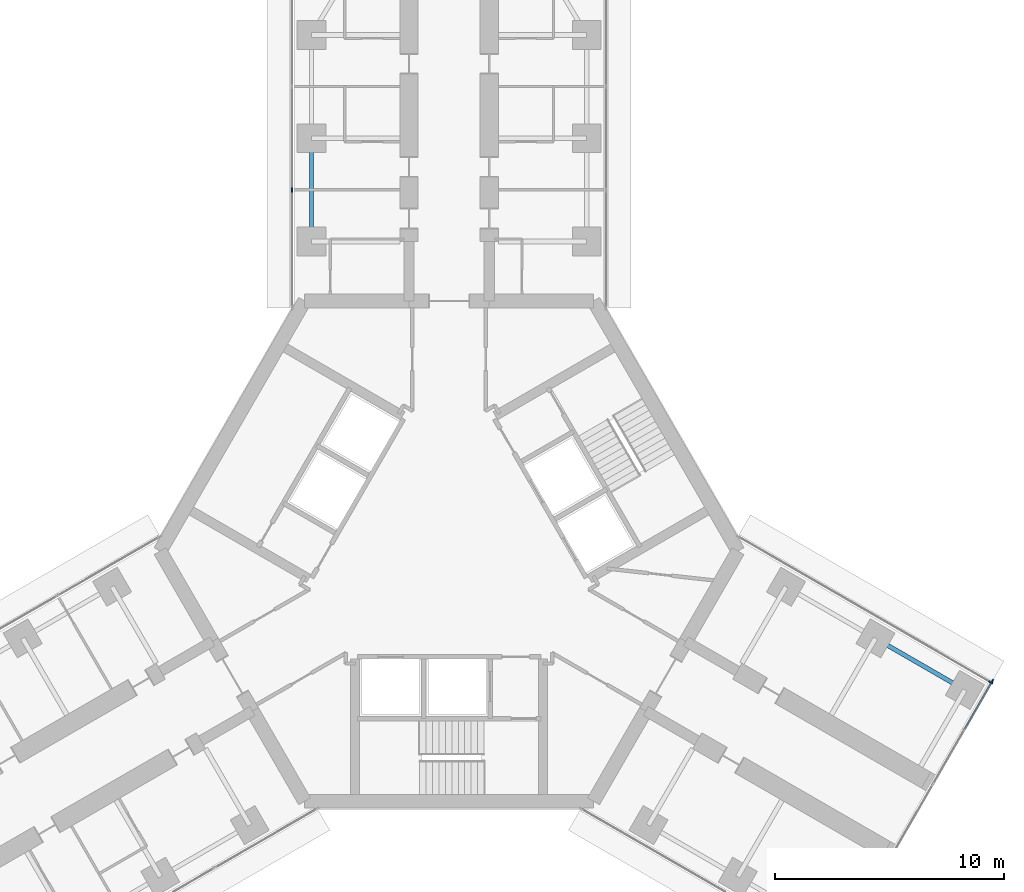
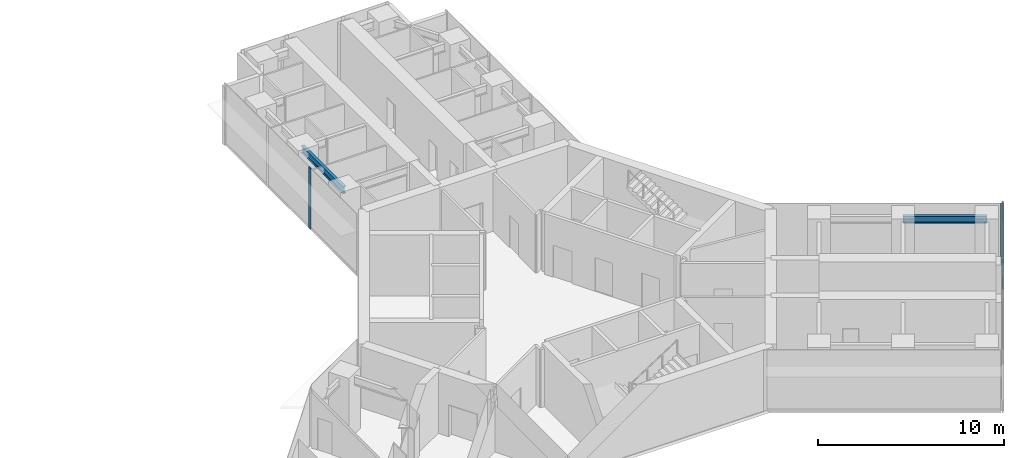
# One storey, part 11 of 23: 4 members, 2 beams, 3 elements without a shape of their own.
"""IFC4 building model written with IfcOpenShell, lengths in metres."""

import ifcopenshell
import ifcopenshell.guid

model = None  # the IFC model being written
_history = None  # IfcOwnerHistory: only IFC2X3 demands one
_inside = {}  # id of a spatial element -> (the spatial element, [elements in it])
_under = {}  # id of a project, library or spatial element -> (it, [spatial elements below it])
_declared = {}  # id of a project -> (the project, [libraries it declares])
_typed = {}  # id of a type object -> (the type object, [elements of that type])
_made_of = {}  # id of a material, layer set ... -> (it, [elements and type objects made of it])


def new_model(schema):
    """Start an empty IFC model of exactly this schema.

    Asked for "IFC4X3", IfcOpenShell would pick the latest addendum, in which some entities
    have other attributes; the version numbers below select the first issue.
    IFC2X3 requires an IfcOwnerHistory on every rooted entity: one is made here for all.
    """
    global model, _history
    if schema == "IFC4X3":
        model = ifcopenshell.file(schema_version=(4, 3, 0, 0))
    else:
        model = ifcopenshell.file(schema=schema)
    _inside.clear()
    _under.clear()
    _declared.clear()
    _typed.clear()
    _made_of.clear()
    _history = None
    if model.schema == "IFC2X3":
        org = make("IfcOrganization", Name="unknown")
        user = make(
            "IfcPersonAndOrganization",
            ThePerson=make("IfcPerson", FamilyName="unknown"),
            TheOrganization=org,
        )
        app = make(
            "IfcApplication",
            ApplicationDeveloper=org,
            Version="unknown",
            ApplicationFullName="unknown",
            ApplicationIdentifier="unknown",
        )
        _history = make(
            "IfcOwnerHistory",
            OwningUser=user,
            OwningApplication=app,
            ChangeAction="ADDED",
            CreationDate=0,
        )
    return model


def make(cls, **values):
    """One entity of the class cls with the attributes given. An attribute that is None is left unset."""
    return model.create_entity(
        cls, **{name: value for name, value in values.items() if value is not None}
    )


def rooted(cls, **values):
    """An entity with a GlobalId (a new one), such as an element, a storey or a relation."""
    return make(cls, GlobalId=ifcopenshell.guid.new(), OwnerHistory=_history, **values)


def si_unit(unit_type, name, prefix=None):
    """IfcSIUnit, for example si_unit("LENGTHUNIT", "METRE", prefix="MILLI")."""
    return make("IfcSIUnit", UnitType=unit_type, Prefix=prefix, Name=name)


def assignment(units):
    """IfcUnitAssignment: the units of a project."""
    return None if units is None else make("IfcUnitAssignment", Units=units)


def point(xyz):
    """IfcCartesianPoint."""
    return None if xyz is None else make("IfcCartesianPoint", Coordinates=xyz)


def direction(xyz):
    """IfcDirection."""
    return None if xyz is None else make("IfcDirection", DirectionRatios=xyz)


def frame(location, z_axis=None, x_axis=None):
    """IfcAxis2Placement3D, a coordinate frame: its origin and axes. An axis left out is left unset."""
    return make(
        "IfcAxis2Placement3D",
        Location=point(location),
        Axis=direction(z_axis),
        RefDirection=direction(x_axis),
    )


def frame_2d(location, x_axis=None):
    """IfcAxis2Placement2D, a coordinate frame in the plane: its origin and x axis."""
    return make(
        "IfcAxis2Placement2D", Location=point(location), RefDirection=direction(x_axis)
    )


def origin():
    """The frame at (0, 0, 0) with its axes left unset."""
    return frame((0.0, 0.0, 0.0))


def origin_2d():
    """The frame at (0, 0) in the plane with its x axis left unset."""
    return frame_2d((0.0, 0.0))


def place(relative_to, where):
    """IfcLocalPlacement: puts the frame where relative to a parent placement (None: the world)."""
    return make(
        "IfcLocalPlacement", PlacementRelTo=relative_to, RelativePlacement=where
    )


def context(
    kind, dimensions, precision=None, world=None, true_north=None, identifier=None
):
    """IfcGeometricRepresentationContext, for example the 3D "Model" context."""
    return make(
        "IfcGeometricRepresentationContext",
        ContextIdentifier=identifier,
        ContextType=kind,
        CoordinateSpaceDimension=dimensions,
        Precision=precision,
        WorldCoordinateSystem=world,
        TrueNorth=true_north,
    )


def subcontext(parent, identifier, kind, view, scale=None):
    """IfcGeometricRepresentationSubContext, for example "Body" below "Model"."""
    return make(
        "IfcGeometricRepresentationSubContext",
        ContextIdentifier=identifier,
        ContextType=kind,
        ParentContext=parent,
        TargetScale=scale,
        TargetView=view,
    )


def project(units=None, contexts=None):
    """IfcProject with its units and contexts."""
    return rooted(
        "IfcProject",
        Name="project",
        RepresentationContexts=contexts,
        UnitsInContext=assignment(units),
    )


def spatial(cls, under=None, at=None, **own):
    """A site, building, storey or space (cls), placed at a placement, below another one or the project."""
    s = rooted(cls, ObjectPlacement=at, **own)
    if under is not None:
        _under.setdefault(under.id(), (under, []))[1].append(s)
    return s


def profile(cls, at=None, kind="AREA", **sizes):
    """A parametric profile (cls). Its sizes go by their IFC names, for example OverallWidth=200.0."""
    return make(cls, ProfileType=kind, Position=at, **sizes)


def rectangle(**sizes):
    """IfcRectangleProfileDef."""
    return profile("IfcRectangleProfileDef", **sizes)


def i_section(**sizes):
    """IfcIShapeProfileDef."""
    return profile("IfcIShapeProfileDef", **sizes)


def extrude(swept, where, along, depth):
    """IfcExtrudedAreaSolid: the profile swept, set in the frame where, extruded along a direction by depth."""
    return make(
        "IfcExtrudedAreaSolid",
        SweptArea=swept,
        Position=where,
        ExtrudedDirection=direction(along),
        Depth=depth,
    )


def shape(context_of_items, identifier, shape_type, items):
    """IfcShapeRepresentation: the items that make up one representation, for example the "Body"."""
    return make(
        "IfcShapeRepresentation",
        ContextOfItems=context_of_items,
        RepresentationIdentifier=identifier,
        RepresentationType=shape_type,
        Items=items,
    )


def material(Name=None, Category=None):
    """IfcMaterial."""
    return make("IfcMaterial", Name=Name, Category=Category)


def material_profile(
    of_material, cross_section, Name=None, Category=None, Priority=None
):
    """IfcMaterialProfile: a cross section and its material."""
    return make(
        "IfcMaterialProfile",
        Name=Name,
        Material=of_material,
        Profile=cross_section,
        Priority=Priority,
        Category=Category,
    )


def profile_set(profiles, Name=None, composite=None):
    """IfcMaterialProfileSet."""
    return make(
        "IfcMaterialProfileSet",
        Name=Name,
        MaterialProfiles=profiles,
        CompositeProfile=composite,
    )


def made_of(thing, what):
    """Note that an element or type object is made of a material, layer set ...; save() writes the relation."""
    if what is not None:
        _made_of.setdefault(what.id(), (what, []))[1].append(thing)
    return thing


def type_object(cls, material=None, **own):
    """A type object (cls), such as IfcWallType, which elements share."""
    return made_of(rooted(cls, **own), material)


def element(
    cls,
    number,
    at=None,
    inside=None,
    cuts=None,
    type_object=None,
    material=None,
    context=None,
    identifier="Body",
    shape_type=None,
    held_by="IfcProductDefinitionShape",
    body=None,
    shapes=None,
    **own,
):
    """One element of the class cls, such as IfcWall. Its Tag is "e" and its number.

    at: its placement. inside: the storey or other place that contains it. cuts: it is an
    opening in that element (IfcRelVoidsElement). A single representation is given by context,
    identifier, shape_type and body (its items); several are given by shapes. held_by: the class
    of the entity that holds the representations. save() writes the other relations.
    """
    e = rooted(cls, Tag="e%d" % number, ObjectPlacement=at, **own)
    if body is not None:
        shapes = [shape(context, identifier, shape_type, body)]
    if shapes is not None:
        e.Representation = make(held_by, Representations=shapes)
    if inside is not None:
        _inside.setdefault(inside.id(), (inside, []))[1].append(e)
    if cuts is not None:
        rooted(
            "IfcRelVoidsElement", RelatingBuildingElement=cuts, RelatedOpeningElement=e
        )
    if type_object is not None:
        _typed.setdefault(type_object.id(), (type_object, []))[1].append(e)
    return made_of(e, material)


def aggregate(whole, parts):
    """IfcRelAggregates: a whole, such as a stair, and the parts it consists of."""
    return rooted("IfcRelAggregates", RelatingObject=whole, RelatedObjects=parts)


def save(model, path):
    """Write the relations noted so far, then the file.

    IfcRelAggregates (storeys below a building ...), IfcRelContainedInSpatialStructure (elements
    in a storey), IfcRelDefinesByType, IfcRelAssociatesMaterial and IfcRelDeclares: one each for
    every whole, place, type object, material and project.
    """
    for whole, parts in _under.values():
        aggregate(whole, parts)
    for where, things in _inside.values():
        rooted(
            "IfcRelContainedInSpatialStructure",
            RelatedElements=things,
            RelatingStructure=where,
        )
    for kind, things in _typed.values():
        rooted("IfcRelDefinesByType", RelatedObjects=things, RelatingType=kind)
    for what, things in _made_of.values():
        rooted("IfcRelAssociatesMaterial", RelatedObjects=things, RelatingMaterial=what)
    for by, libraries in _declared.values():
        rooted("IfcRelDeclares", RelatingContext=by, RelatedDefinitions=libraries)
    model.write(path)


model = new_model("IFC4")

# Units and contexts
model_context = context("Model", 3, precision=1e-05, world=origin(), true_north=direction((0.0, 1.0)))
body_context = subcontext(model_context, "Body", "Model", "MODEL_VIEW")
ifc_project = project(units=[si_unit("LENGTHUNIT", "METRE"), si_unit("AREAUNIT", "SQUARE_METRE"), si_unit("VOLUMEUNIT", "CUBIC_METRE"), si_unit("PLANEANGLEUNIT", "RADIAN"), si_unit("MASSUNIT", "GRAM", prefix="KILO")], contexts=[model_context])

# Site, building, storey
site_placement = place(None, origin())
site = spatial("IfcSite", under=ifc_project, at=site_placement, CompositionType="ELEMENT")
building_placement = place(site_placement, origin())
building = spatial("IfcBuilding", under=site, at=building_placement, Name="Upepo Twin Towers", CompositionType="ELEMENT")
storey_placement = place(building_placement, frame((0.0, 0.0, 149.5)))
storey = spatial("IfcBuildingStorey", under=building, at=storey_placement, Name="L36", CompositionType="ELEMENT", Elevation=149.5)

# Beams
ifc_material_1 = material(Name="Steel S355", Category="steel")
ifc_material_profile_1 = material_profile(ifc_material_1, i_section(OverallWidth=0.1904296875, OverallDepth=0.45703125, WebThickness=0.009033203125, FlangeThickness=0.014404296875, FilletRadius=0.01025390625, at=origin_2d()), Name="UB 457x191x74")
ifc_profile_set_1 = profile_set([ifc_material_profile_1], Name="Steel S355")
beam_type = type_object("IfcBeamType", Name="Beam UB 457x191x74", PredefinedType="BEAM", material=ifc_profile_set_1)
for number, where, z_axis, x_axis, name in (
    (1, (52.5, -4.5, 3.571533203125), (0.0, 1.0, 0.0), (-1.0, 0.0, 0.0), "T2 edge beam AL 13.5-18.0"),
    (2, (77.08837890625, -21.803955078125, 3.571533203125), (0.866031096941, -0.499990139034, 0.0), (0.499990139034, 0.866031096941, 0.0), "T2 edge beam CL 18.0-22.5"),
):
    element("IfcBeam", number, at=place(storey_placement, frame(where, z_axis=z_axis, x_axis=x_axis)), inside=storey, type_object=beam_type, Name=name, PredefinedType="BEAM", context=body_context, shape_type="SweptSolid", body=[
        extrude(i_section(OverallWidth=0.1904296875, OverallDepth=0.45703125, WebThickness=0.009033203125, FlangeThickness=0.014404296875, FilletRadius=0.01025390625, at=origin_2d()), origin(), (0.0, 0.0, 1.0), 4.5),
    ])

# Curtain wall, member
ifc_material_2 = material(Name="Aluminium and fritted glass", Category="aluminium")
curtain_wall_type = type_object("IfcCurtainWallType", Name="Tower curtain wall TW2, fritted glass", PredefinedType="NOTDEFINED", material=ifc_material_2)
curtain_wall_1_placement = place(storey_placement, origin())
curtain_wall_1 = element("IfcCurtainWall", 3, at=curtain_wall_1_placement, inside=storey, type_object=curtain_wall_type, Name="T2 L36 wing A flank L curtain wall", PredefinedType="NOTDEFINED")
ifc_material_3 = material(Name="Aluminium mullion", Category="aluminium")
ifc_material_profile_2 = material_profile(ifc_material_3, rectangle(XDim=0.06494140625, YDim=0.199951171875, at=origin_2d()), Name="MULLION 65x200")
ifc_profile_set_2 = profile_set([ifc_material_profile_2], Name="Aluminium mullion")
member_type_1 = type_object("IfcMemberType", Name="Mullion 65x200 TW2", PredefinedType="MULLION", material=ifc_profile_set_2)
member_1_placement = place(storey_placement, frame((51.64990234375, -2.25, 0.0), z_axis=(0.0, 0.0, 1.0), x_axis=(-1.0, 0.0, 0.0)))
member_1 = element("IfcMember", 4, at=member_1_placement, type_object=member_type_1, Name="T2 L36 wing A flank L curtain wall mullion 2", PredefinedType="MULLION", context=body_context, shape_type="SweptSolid", body=[
    extrude(rectangle(XDim=0.06494140625, YDim=0.199951171875, at=origin_2d()), origin(), (0.0, 0.0, 1.0), 4.0),
])
aggregate(curtain_wall_1, [member_1])

curtain_wall_2_placement = place(storey_placement, origin())
curtain_wall_2 = element("IfcCurtainWall", 5, at=curtain_wall_2_placement, inside=storey, type_object=curtain_wall_type, Name="T2 L36 wing C flank L curtain wall", PredefinedType="NOTDEFINED")
member_2_placement = place(storey_placement, frame((82.11865234375, -23.7265625, 0.0), z_axis=(0.0, 0.0, 1.0), x_axis=(0.50000000792, 0.866025399212, 0.0)))
member_2 = element("IfcMember", 6, at=member_2_placement, type_object=member_type_1, Name="T2 L36 wing C flank L curtain wall mullion 2", PredefinedType="MULLION", context=body_context, shape_type="SweptSolid", body=[
    extrude(rectangle(XDim=0.06494140625, YDim=0.199951171875, at=origin_2d()), origin(), (0.0, 0.0, 1.0), 4.0),
])
aggregate(curtain_wall_2, [member_2])

# Curtain wall, members
curtain_wall_3_placement = place(storey_placement, origin())
curtain_wall_3 = element("IfcCurtainWall", 7, at=curtain_wall_3_placement, inside=storey, type_object=curtain_wall_type, Name="T2 L36 wing C nose curtain wall", PredefinedType="NOTDEFINED")
member_3_placement = place(storey_placement, frame((82.180419921875, -23.684326171875, 0.0), z_axis=(0.0, 0.0, 1.0), x_axis=(-0.866025419745, 0.499999972355, 0.0)))
member_3 = element("IfcMember", 8, at=member_3_placement, type_object=member_type_1, Name="T2 L36 wing C nose curtain wall mullion 6", PredefinedType="MULLION", context=body_context, shape_type="SweptSolid", body=[
    extrude(rectangle(XDim=0.06494140625, YDim=0.199951171875, at=origin_2d()), origin(), (0.0, 0.0, 1.0), 4.0),
])
ifc_material_4 = material(Name="Aluminium transom", Category="aluminium")
ifc_material_profile_3 = material_profile(ifc_material_4, rectangle(XDim=0.06494140625, YDim=0.14990234375, at=origin_2d()), Name="TRANSOM 65x150")
ifc_profile_set_3 = profile_set([ifc_material_profile_3], Name="Aluminium transom")
member_type_2 = type_object("IfcMemberType", Name="Transom 65x150 TW2", PredefinedType="USERDEFINED", material=ifc_profile_set_3)
member_4_placement = place(storey_placement, frame((80.988037109375, -25.749755859375, 0.074951171875), z_axis=(0.50000093428, 0.866024864377, 0.0), x_axis=(-0.866024864377, 0.50000093428, 0.0)))
member_4 = element("IfcMember", 9, at=member_4_placement, type_object=member_type_2, Name="T2 L36 wing C nose curtain wall transom 5", ObjectType="TRANSOM", PredefinedType="USERDEFINED", context=body_context, shape_type="SweptSolid", body=[
    extrude(rectangle(XDim=0.06494140625, YDim=0.14990234375, at=origin_2d()), origin(), (0.0, 0.0, 1.0), 2.3525390625),
])
aggregate(curtain_wall_3, [member_3, member_4])

save(model, "model.ifc")
